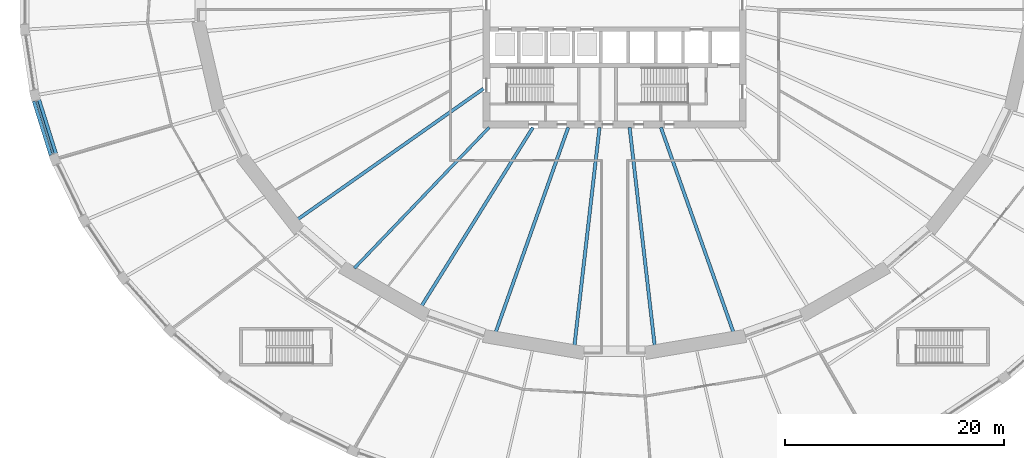
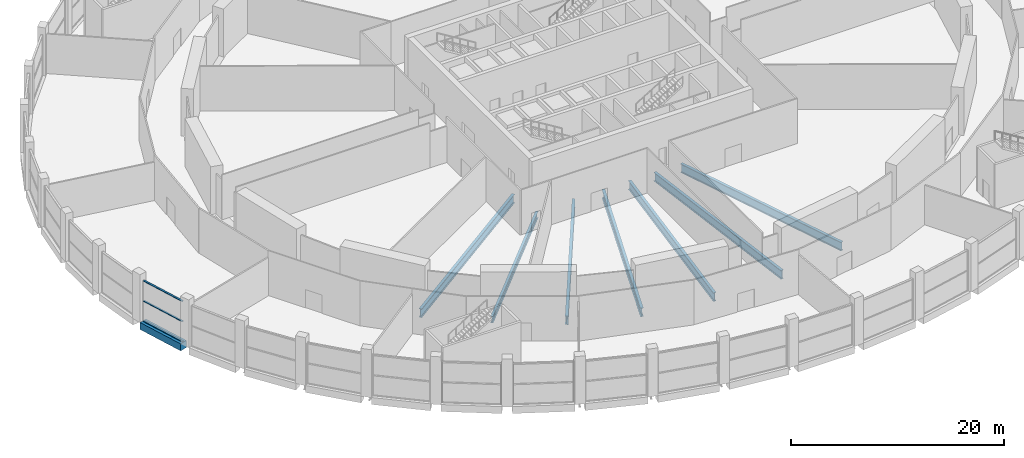
# One storey, part 4 of 29: 8 beams, 3 members, 1 element without a shape of its own.
"""IFC4 building model written with IfcOpenShell, lengths in metres."""

import ifcopenshell
import ifcopenshell.guid

model = None  # the IFC model being written
_history = None  # IfcOwnerHistory: only IFC2X3 demands one
_inside = {}  # id of a spatial element -> (the spatial element, [elements in it])
_under = {}  # id of a project, library or spatial element -> (it, [spatial elements below it])
_declared = {}  # id of a project -> (the project, [libraries it declares])
_typed = {}  # id of a type object -> (the type object, [elements of that type])
_made_of = {}  # id of a material, layer set ... -> (it, [elements and type objects made of it])


def new_model(schema):
    """Start an empty IFC model of exactly this schema.

    Asked for "IFC4X3", IfcOpenShell would pick the latest addendum, in which some entities
    have other attributes; the version numbers below select the first issue.
    IFC2X3 requires an IfcOwnerHistory on every rooted entity: one is made here for all.
    """
    global model, _history
    if schema == "IFC4X3":
        model = ifcopenshell.file(schema_version=(4, 3, 0, 0))
    else:
        model = ifcopenshell.file(schema=schema)
    _inside.clear()
    _under.clear()
    _declared.clear()
    _typed.clear()
    _made_of.clear()
    _history = None
    if model.schema == "IFC2X3":
        org = make("IfcOrganization", Name="unknown")
        user = make(
            "IfcPersonAndOrganization",
            ThePerson=make("IfcPerson", FamilyName="unknown"),
            TheOrganization=org,
        )
        app = make(
            "IfcApplication",
            ApplicationDeveloper=org,
            Version="unknown",
            ApplicationFullName="unknown",
            ApplicationIdentifier="unknown",
        )
        _history = make(
            "IfcOwnerHistory",
            OwningUser=user,
            OwningApplication=app,
            ChangeAction="ADDED",
            CreationDate=0,
        )
    return model


def make(cls, **values):
    """One entity of the class cls with the attributes given. An attribute that is None is left unset."""
    return model.create_entity(
        cls, **{name: value for name, value in values.items() if value is not None}
    )


def rooted(cls, **values):
    """An entity with a GlobalId (a new one), such as an element, a storey or a relation."""
    return make(cls, GlobalId=ifcopenshell.guid.new(), OwnerHistory=_history, **values)


def si_unit(unit_type, name, prefix=None):
    """IfcSIUnit, for example si_unit("LENGTHUNIT", "METRE", prefix="MILLI")."""
    return make("IfcSIUnit", UnitType=unit_type, Prefix=prefix, Name=name)


def assignment(units):
    """IfcUnitAssignment: the units of a project."""
    return None if units is None else make("IfcUnitAssignment", Units=units)


def point(xyz):
    """IfcCartesianPoint."""
    return None if xyz is None else make("IfcCartesianPoint", Coordinates=xyz)


def direction(xyz):
    """IfcDirection."""
    return None if xyz is None else make("IfcDirection", DirectionRatios=xyz)


def frame(location, z_axis=None, x_axis=None):
    """IfcAxis2Placement3D, a coordinate frame: its origin and axes. An axis left out is left unset."""
    return make(
        "IfcAxis2Placement3D",
        Location=point(location),
        Axis=direction(z_axis),
        RefDirection=direction(x_axis),
    )


def frame_2d(location, x_axis=None):
    """IfcAxis2Placement2D, a coordinate frame in the plane: its origin and x axis."""
    return make(
        "IfcAxis2Placement2D", Location=point(location), RefDirection=direction(x_axis)
    )


def origin():
    """The frame at (0, 0, 0) with its axes left unset."""
    return frame((0.0, 0.0, 0.0))


def origin_2d():
    """The frame at (0, 0) in the plane with its x axis left unset."""
    return frame_2d((0.0, 0.0))


def place(relative_to, where):
    """IfcLocalPlacement: puts the frame where relative to a parent placement (None: the world)."""
    return make(
        "IfcLocalPlacement", PlacementRelTo=relative_to, RelativePlacement=where
    )


def context(
    kind, dimensions, precision=None, world=None, true_north=None, identifier=None
):
    """IfcGeometricRepresentationContext, for example the 3D "Model" context."""
    return make(
        "IfcGeometricRepresentationContext",
        ContextIdentifier=identifier,
        ContextType=kind,
        CoordinateSpaceDimension=dimensions,
        Precision=precision,
        WorldCoordinateSystem=world,
        TrueNorth=true_north,
    )


def subcontext(parent, identifier, kind, view, scale=None):
    """IfcGeometricRepresentationSubContext, for example "Body" below "Model"."""
    return make(
        "IfcGeometricRepresentationSubContext",
        ContextIdentifier=identifier,
        ContextType=kind,
        ParentContext=parent,
        TargetScale=scale,
        TargetView=view,
    )


def project(units=None, contexts=None):
    """IfcProject with its units and contexts."""
    return rooted(
        "IfcProject",
        Name="project",
        RepresentationContexts=contexts,
        UnitsInContext=assignment(units),
    )


def spatial(cls, under=None, at=None, **own):
    """A site, building, storey or space (cls), placed at a placement, below another one or the project."""
    s = rooted(cls, ObjectPlacement=at, **own)
    if under is not None:
        _under.setdefault(under.id(), (under, []))[1].append(s)
    return s


def profile(cls, at=None, kind="AREA", **sizes):
    """A parametric profile (cls). Its sizes go by their IFC names, for example OverallWidth=200.0."""
    return make(cls, ProfileType=kind, Position=at, **sizes)


def rectangle(**sizes):
    """IfcRectangleProfileDef."""
    return profile("IfcRectangleProfileDef", **sizes)


def i_section(**sizes):
    """IfcIShapeProfileDef."""
    return profile("IfcIShapeProfileDef", **sizes)


def extrude(swept, where, along, depth):
    """IfcExtrudedAreaSolid: the profile swept, set in the frame where, extruded along a direction by depth."""
    return make(
        "IfcExtrudedAreaSolid",
        SweptArea=swept,
        Position=where,
        ExtrudedDirection=direction(along),
        Depth=depth,
    )


def shape(context_of_items, identifier, shape_type, items):
    """IfcShapeRepresentation: the items that make up one representation, for example the "Body"."""
    return make(
        "IfcShapeRepresentation",
        ContextOfItems=context_of_items,
        RepresentationIdentifier=identifier,
        RepresentationType=shape_type,
        Items=items,
    )


def material(Name=None, Category=None):
    """IfcMaterial."""
    return make("IfcMaterial", Name=Name, Category=Category)


def material_profile(
    of_material, cross_section, Name=None, Category=None, Priority=None
):
    """IfcMaterialProfile: a cross section and its material."""
    return make(
        "IfcMaterialProfile",
        Name=Name,
        Material=of_material,
        Profile=cross_section,
        Priority=Priority,
        Category=Category,
    )


def profile_set(profiles, Name=None, composite=None):
    """IfcMaterialProfileSet."""
    return make(
        "IfcMaterialProfileSet",
        Name=Name,
        MaterialProfiles=profiles,
        CompositeProfile=composite,
    )


def made_of(thing, what):
    """Note that an element or type object is made of a material, layer set ...; save() writes the relation."""
    if what is not None:
        _made_of.setdefault(what.id(), (what, []))[1].append(thing)
    return thing


def type_object(cls, material=None, **own):
    """A type object (cls), such as IfcWallType, which elements share."""
    return made_of(rooted(cls, **own), material)


def element(
    cls,
    number,
    at=None,
    inside=None,
    cuts=None,
    type_object=None,
    material=None,
    context=None,
    identifier="Body",
    shape_type=None,
    held_by="IfcProductDefinitionShape",
    body=None,
    shapes=None,
    **own,
):
    """One element of the class cls, such as IfcWall. Its Tag is "e" and its number.

    at: its placement. inside: the storey or other place that contains it. cuts: it is an
    opening in that element (IfcRelVoidsElement). A single representation is given by context,
    identifier, shape_type and body (its items); several are given by shapes. held_by: the class
    of the entity that holds the representations. save() writes the other relations.
    """
    e = rooted(cls, Tag="e%d" % number, ObjectPlacement=at, **own)
    if body is not None:
        shapes = [shape(context, identifier, shape_type, body)]
    if shapes is not None:
        e.Representation = make(held_by, Representations=shapes)
    if inside is not None:
        _inside.setdefault(inside.id(), (inside, []))[1].append(e)
    if cuts is not None:
        rooted(
            "IfcRelVoidsElement", RelatingBuildingElement=cuts, RelatedOpeningElement=e
        )
    if type_object is not None:
        _typed.setdefault(type_object.id(), (type_object, []))[1].append(e)
    return made_of(e, material)


def aggregate(whole, parts):
    """IfcRelAggregates: a whole, such as a stair, and the parts it consists of."""
    return rooted("IfcRelAggregates", RelatingObject=whole, RelatedObjects=parts)


def save(model, path):
    """Write the relations noted so far, then the file.

    IfcRelAggregates (storeys below a building ...), IfcRelContainedInSpatialStructure (elements
    in a storey), IfcRelDefinesByType, IfcRelAssociatesMaterial and IfcRelDeclares: one each for
    every whole, place, type object, material and project.
    """
    for whole, parts in _under.values():
        aggregate(whole, parts)
    for where, things in _inside.values():
        rooted(
            "IfcRelContainedInSpatialStructure",
            RelatedElements=things,
            RelatingStructure=where,
        )
    for kind, things in _typed.values():
        rooted("IfcRelDefinesByType", RelatedObjects=things, RelatingType=kind)
    for what, things in _made_of.values():
        rooted("IfcRelAssociatesMaterial", RelatedObjects=things, RelatingMaterial=what)
    for by, libraries in _declared.values():
        rooted("IfcRelDeclares", RelatingContext=by, RelatedDefinitions=libraries)
    model.write(path)


model = new_model("IFC4")

# Units and contexts
model_context = context("Model", 3, precision=1e-05, world=origin(), true_north=direction((0.0, 1.0)))
body_context = subcontext(model_context, "Body", "Model", "MODEL_VIEW")
ifc_project = project(units=[si_unit("LENGTHUNIT", "METRE"), si_unit("AREAUNIT", "SQUARE_METRE"), si_unit("VOLUMEUNIT", "CUBIC_METRE"), si_unit("PLANEANGLEUNIT", "RADIAN"), si_unit("MASSUNIT", "GRAM", prefix="KILO")], contexts=[model_context])

# Site, building, storey
site_placement = place(None, origin())
site = spatial("IfcSite", under=ifc_project, at=site_placement, CompositionType="ELEMENT")
building_placement = place(site_placement, origin())
building = spatial("IfcBuilding", under=site, at=building_placement, Name="Halqa Exchange Tower", CompositionType="ELEMENT")
storey_placement = place(building_placement, frame((0.0, 0.0, 12.5)))
storey = spatial("IfcBuildingStorey", under=building, at=storey_placement, Name="L02", CompositionType="ELEMENT", Elevation=12.5)

# Curtain wall, members
ifc_material_1 = material(Name="Anodised aluminium and clear glass", Category="aluminium")
curtain_wall_type = type_object("IfcCurtainWallType", Name="Exchange hall glazing", PredefinedType="NOTDEFINED", material=ifc_material_1)
curtain_wall_placement = place(storey_placement, origin())
curtain_wall = element("IfcCurtainWall", 1, at=curtain_wall_placement, inside=storey, type_object=curtain_wall_type, Name="Exchange hall glazing run P26", PredefinedType="NOTDEFINED")
ifc_material_2 = material(Name="Anodised aluminium", Category="aluminium")
ifc_material_profile_1 = material_profile(ifc_material_2, rectangle(XDim=0.199951171875, YDim=0.070068359375, at=origin_2d()), Name="AL 70x200")
ifc_profile_set_1 = profile_set([ifc_material_profile_1], Name="Anodised aluminium")
member_type = type_object("IfcMemberType", Name="Exchange hall glazing transom 70 x 200", PredefinedType="USERDEFINED", material=ifc_profile_set_1)
member_1_placement = place(storey_placement, frame((-52.79248046875, -9.57666015625, 0.034912109375), z_axis=(0.298305642444, -0.954470399586, 0.0), x_axis=(0.954470399586, 0.298305642444, 0.0)))
member_1 = element("IfcMember", 2, at=member_1_placement, type_object=member_type, Name="P26 transom 1.1", ObjectType="TRANSOM", PredefinedType="USERDEFINED", context=body_context, shape_type="SweptSolid", body=[
    extrude(rectangle(XDim=0.199951171875, YDim=0.070068359375, at=origin_2d()), origin(), (0.0, 0.0, 1.0), 4.989013671875),
])
member_2_placement = place(storey_placement, frame((-52.79248046875, -9.57666015625, 2.35009765625), z_axis=(0.298305642444, -0.954470399586, 0.0), x_axis=(0.954470399586, 0.298305642444, 0.0)))
member_2 = element("IfcMember", 3, at=member_2_placement, type_object=member_type, Name="P26 transom 1.2", ObjectType="TRANSOM", PredefinedType="USERDEFINED", context=body_context, shape_type="SweptSolid", body=[
    extrude(rectangle(XDim=0.199951171875, YDim=0.070068359375, at=origin_2d()), origin(), (0.0, 0.0, 1.0), 4.989013671875),
])
member_3_placement = place(storey_placement, frame((-52.79248046875, -9.57666015625, 4.6650390625), z_axis=(0.298305642444, -0.954470399586, 0.0), x_axis=(0.954470399586, 0.298305642444, 0.0)))
member_3 = element("IfcMember", 4, at=member_3_placement, type_object=member_type, Name="P26 transom 1.3", ObjectType="TRANSOM", PredefinedType="USERDEFINED", context=body_context, shape_type="SweptSolid", body=[
    extrude(rectangle(XDim=0.199951171875, YDim=0.070068359375, at=origin_2d()), origin(), (0.0, 0.0, 1.0), 4.989013671875),
])
aggregate(curtain_wall, [member_1, member_2, member_3])

# Beams
ifc_material_3 = material(Name="Steel S355", Category="steel")
ifc_material_profile_2 = material_profile(ifc_material_3, i_section(OverallWidth=0.300048828125, OverallDepth=0.989990234375, WebThickness=0.0166015625, FlangeThickness=0.031005859375, FilletRadius=0.030029296875, at=origin_2d()), Name="HEA 1000")
ifc_profile_set_2 = profile_set([ifc_material_profile_2], Name="Steel S355")
beam_type_1 = type_object("IfcBeamType", Name="Floor beam HEA 1000", PredefinedType="BEAM", material=ifc_profile_set_2)
beam_1_placement = place(storey_placement, frame((-7.46533203125, -11.971435546875, -0.844970703125), z_axis=(-0.529145823441, -0.848530905468, 0.0), x_axis=(0.848530905468, -0.529145823441, 0.0)))
element("IfcBeam", 5, at=beam_1_placement, inside=storey, type_object=beam_type_1, Name="Radial beam 22", PredefinedType="BEAM", context=body_context, shape_type="SweptSolid", body=[
    extrude(i_section(OverallWidth=0.300048828125, OverallDepth=0.989990234375, WebThickness=0.0166015625, FlangeThickness=0.031005859375, FilletRadius=0.030029296875, at=origin_2d()), origin(), (0.0, 0.0, 1.0), 19.27294921875),
])
ifc_material_profile_3 = material_profile(ifc_material_3, i_section(OverallWidth=0.300048828125, OverallDepth=1.0, WebThickness=0.01904296875, FlangeThickness=0.035888671875, FilletRadius=0.030029296875, at=origin_2d()), Name="HEB 1000")
ifc_profile_set_3 = profile_set([ifc_material_profile_3], Name="Steel S355")
beam_type_2 = type_object("IfcBeamType", Name="Floor beam HEB 1000", PredefinedType="BEAM", material=ifc_profile_set_3)
beam_2_placement = place(storey_placement, frame((-11.972412109375, -8.421875, -0.85009765625), z_axis=(-0.817909911418, -0.575346310325, 0.0), x_axis=(0.575346310325, -0.817909911418, 0.0)))
element("IfcBeam", 6, at=beam_2_placement, inside=storey, type_object=beam_type_2, Name="Radial beam 20", PredefinedType="BEAM", context=body_context, shape_type="SweptSolid", body=[
    extrude(i_section(OverallWidth=0.300048828125, OverallDepth=1.0, WebThickness=0.01904296875, FlangeThickness=0.035888671875, FilletRadius=0.030029296875, at=origin_2d()), origin(), (0.0, 0.0, 1.0), 20.804443359375),
])
beam_3_placement = place(storey_placement, frame((-4.23681640625, -11.971923828125, -0.85009765625), z_axis=(-0.333633039334, -0.942703025913, 0.0), x_axis=(0.942703025913, -0.333633039334, 0.0)))
element("IfcBeam", 7, at=beam_3_placement, inside=storey, type_object=beam_type_2, Name="Radial beam 23", PredefinedType="BEAM", context=body_context, shape_type="SweptSolid", body=[
    extrude(i_section(OverallWidth=0.300048828125, OverallDepth=1.0, WebThickness=0.01904296875, FlangeThickness=0.035888671875, FilletRadius=0.030029296875, at=origin_2d()), origin(), (0.0, 0.0, 1.0), 19.885009765625),
])
for number, where, z_axis, x_axis, name in (
    (8, (-1.375732421875, -11.972900390625, -0.85009765625), (-0.114166838833, -0.99346159106, 0.0), (0.99346159106, -0.114166838833, 0.0), "Radial beam 24"),
    (9, (1.375732421875, -11.972900390625, -0.85009765625), (0.114166838833, -0.99346159106, 0.0), (0.99346159106, 0.114166838833, 0.0), "Radial beam 25"),
):
    element("IfcBeam", number, at=place(storey_placement, frame(where, z_axis=z_axis, x_axis=x_axis)), inside=storey, type_object=beam_type_2, Name=name, PredefinedType="BEAM", context=body_context, shape_type="SweptSolid", body=[
        extrude(i_section(OverallWidth=0.300048828125, OverallDepth=1.0, WebThickness=0.01904296875, FlangeThickness=0.035888671875, FilletRadius=0.030029296875, at=origin_2d()), origin(), (0.0, 0.0, 1.0), 20.103515625),
    ])
beam_4_placement = place(storey_placement, frame((4.23681640625, -11.971923828125, -0.85009765625), z_axis=(0.333633039334, -0.942703025913, 0.0), x_axis=(0.942703025913, 0.333633039334, 0.0)))
element("IfcBeam", 10, at=beam_4_placement, inside=storey, type_object=beam_type_2, Name="Radial beam 26", PredefinedType="BEAM", context=body_context, shape_type="SweptSolid", body=[
    extrude(i_section(OverallWidth=0.300048828125, OverallDepth=1.0, WebThickness=0.01904296875, FlangeThickness=0.035888671875, FilletRadius=0.030029296875, at=origin_2d()), origin(), (0.0, 0.0, 1.0), 19.885009765625),
])
ifc_material_profile_4 = material_profile(ifc_material_3, i_section(OverallWidth=0.26806640625, OverallDepth=0.77001953125, WebThickness=0.015625, FlangeThickness=0.025390625, FilletRadius=0.01708984375, at=origin_2d()), Name="IPE 750x196")
ifc_profile_set_4 = profile_set([ifc_material_profile_4], Name="Steel S355")
beam_type_3 = type_object("IfcBeamType", Name="Floor beam IPE 750x196", PredefinedType="BEAM", material=ifc_profile_set_4)
beam_5_placement = place(storey_placement, frame((-11.46240234375, -11.9716796875, -0.735107421875), z_axis=(-0.6915763718, -0.722303344841, 0.0), x_axis=(0.722303344841, -0.6915763718, 0.0)))
element("IfcBeam", 11, at=beam_5_placement, inside=storey, type_object=beam_type_3, Name="Radial beam 21", PredefinedType="BEAM", context=body_context, shape_type="SweptSolid", body=[
    extrude(i_section(OverallWidth=0.26806640625, OverallDepth=0.77001953125, WebThickness=0.015625, FlangeThickness=0.025390625, FilletRadius=0.01708984375, at=origin_2d()), origin(), (0.0, 0.0, 1.0), 17.7978515625),
])
ifc_material_4 = material(Name="Concrete C60/75", Category="concrete")
ifc_material_profile_5 = material_profile(ifc_material_4, rectangle(XDim=0.800048828125, YDim=0.800048828125, at=origin_2d()), Name="800 x 800")
ifc_profile_set_5 = profile_set([ifc_material_profile_5], Name="Concrete C60/75")
beam_type_4 = type_object("IfcBeamType", Name="RC podium edge beam 800 x 800 C60/75", PredefinedType="SPANDREL", material=ifc_profile_set_5)
beam_6_placement = place(storey_placement, frame((-52.821044921875, -9.4853515625, -0.39990234375), z_axis=(0.298331338153, -0.954462368392, 0.0), x_axis=(0.954462368392, 0.298331338153, 0.0)))
element("IfcBeam", 12, at=beam_6_placement, inside=storey, type_object=beam_type_4, Name="Podium edge beam 26", PredefinedType="SPANDREL", context=body_context, shape_type="SweptSolid", body=[
    extrude(rectangle(XDim=0.800048828125, YDim=0.800048828125, at=origin_2d()), origin(), (0.0, 0.0, 1.0), 5.180908203125),
])

save(model, "model.ifc")
